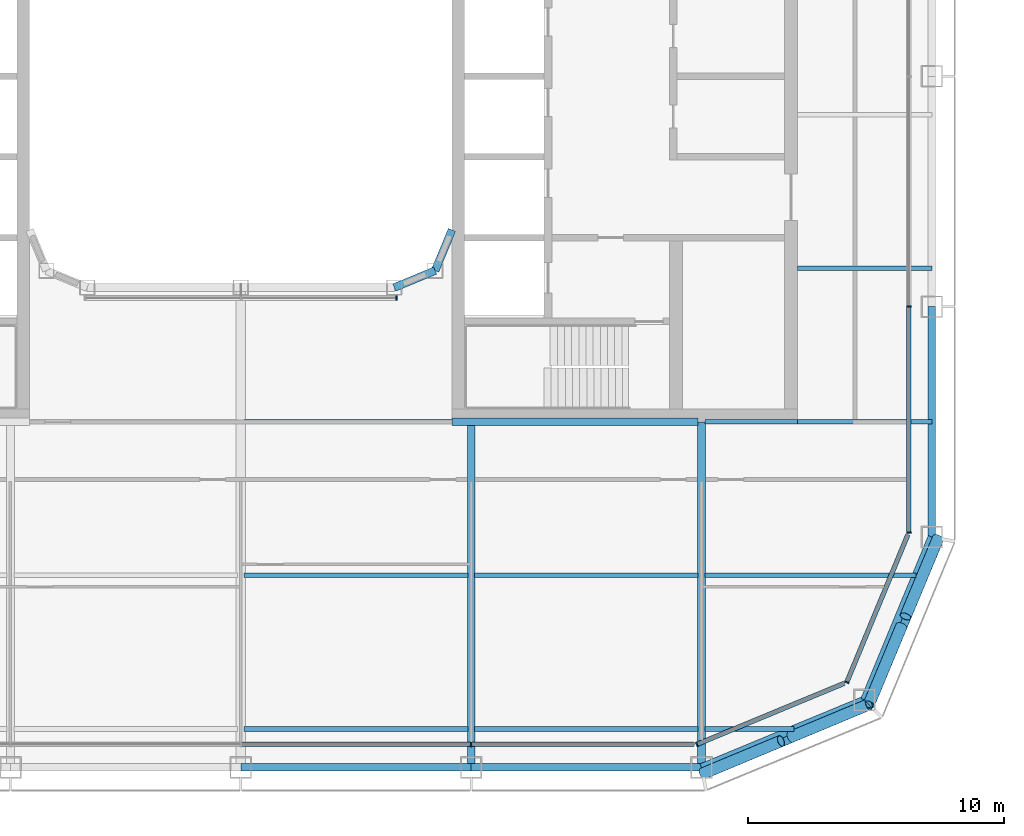
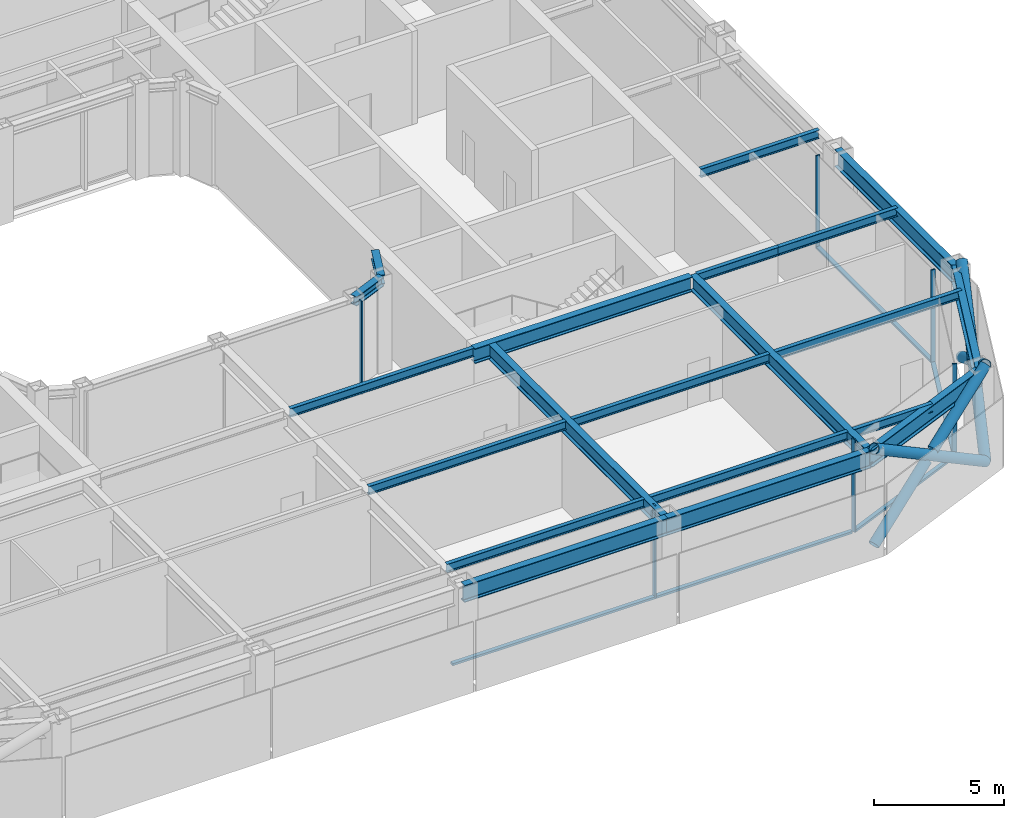
# One storey, part 4 of 23: 20 beams, 17 members, 5 elements without a shape of their own.
"""IFC4 building model written with IfcOpenShell, lengths in metres."""

from ifc_helpers import new_model, si_unit, direction, frame, origin, origin_2d, place, context, subcontext, project, spatial, rectangle, hollow_circle, i_section, extrude, material, layer, layer_set, material_profile, profile_set, type_object, element, aggregate, save


model = new_model("IFC4")

# Units and contexts
model_context = context("Model", 3, precision=1e-05, world=origin(), true_north=direction((0.0, 1.0)))
body_context = subcontext(model_context, "Body", "Model", "MODEL_VIEW")
ifc_project = project(units=[si_unit("LENGTHUNIT", "METRE"), si_unit("AREAUNIT", "SQUARE_METRE"), si_unit("VOLUMEUNIT", "CUBIC_METRE"), si_unit("PLANEANGLEUNIT", "RADIAN"), si_unit("MASSUNIT", "GRAM", prefix="KILO")], contexts=[model_context])

# Site, building, storey
site_placement = place(None, origin())
site = spatial("IfcSite", under=ifc_project, at=site_placement, CompositionType="ELEMENT")
building_placement = place(site_placement, origin())
building = spatial("IfcBuilding", under=site, at=building_placement, Name="Siwar Civic Tower", CompositionType="ELEMENT")
storey_placement = place(building_placement, frame((0.0, 0.0, 224.199951171875)))
storey = spatial("IfcBuildingStorey", under=building, at=storey_placement, Name="L48", CompositionType="ELEMENT", Elevation=224.199951171875)

# Curtain wall, member
ifc_material_1 = material(Name="Aluminium and glass", Category="aluminium")
ifc_layer_1 = layer(ifc_material_1, 0.179931640625)
ifc_layer_set_1 = layer_set([ifc_layer_1], Name="Aluminium and glass")
curtain_wall_type_1 = type_object("IfcCurtainWallType", Name="ENV-CW-C", PredefinedType="NOTDEFINED", material=ifc_layer_set_1)
curtain_wall_1_placement = place(storey_placement, origin())
curtain_wall_1 = element("IfcCurtainWall", 1, at=curtain_wall_1_placement, inside=storey, type_object=curtain_wall_type_1, Name="Curtain wall C S", PredefinedType="NOTDEFINED")
ifc_material_2 = material(Name="Aluminium 6063-T6", Category="aluminium")
ifc_material_profile_1 = material_profile(ifc_material_2, rectangle(XDim=0.179931640625, YDim=0.06005859375, at=origin_2d()), Name="AL 180x60")
ifc_profile_set_1 = profile_set([ifc_material_profile_1], Name="Aluminium 6063-T6")
member_type_1 = type_object("IfcMemberType", Name="ENV-MULLION-C", PredefinedType="MULLION", material=ifc_profile_set_1)
member_1_placement = place(storey_placement, frame((9.0, -26.10009765625, 0.0), z_axis=(0.0, 0.0, 1.0), x_axis=(0.0, 1.0, 0.0)))
member_1 = element("IfcMember", 2, at=member_1_placement, type_object=member_type_1, Name="Mullion C S 4", PredefinedType="MULLION", context=body_context, shape_type="SweptSolid", body=[
    extrude(rectangle(XDim=0.179931640625, YDim=0.06005859375, at=origin_2d()), origin(), (0.0, 0.0, 1.0), 4.35009765625),
])

ifc_material_3 = material(Name="Aluminium clad insulated panel", Category="aluminium")
ifc_layer_2 = layer(ifc_material_3, 0.179931640625)
ifc_layer_set_2 = layer_set([ifc_layer_2], Name="Aluminium clad insulated panel")
curtain_wall_type_2 = type_object("IfcCurtainWallType", Name="ENV-CW-CX", PredefinedType="NOTDEFINED", material=ifc_layer_set_2)
curtain_wall_2_placement = place(storey_placement, origin())
curtain_wall_2 = element("IfcCurtainWall", 3, at=curtain_wall_2_placement, inside=storey, type_object=curtain_wall_type_2, Name="Curtain wall C SE1", PredefinedType="NOTDEFINED")
member_2_placement = place(storey_placement, frame((17.821044921875, -26.10009765625, 0.0), z_axis=(0.0, 0.0, 1.0), x_axis=(-0.382683432365, 0.923879532511, 0.0)))
member_2 = element("IfcMember", 4, at=member_2_placement, type_object=member_type_1, Name="Mullion C SE1 1", PredefinedType="MULLION", context=body_context, shape_type="SweptSolid", body=[
    extrude(rectangle(XDim=0.179931640625, YDim=0.06005859375, at=origin_2d()), origin(), (0.0, 0.0, 1.0), 4.35009765625),
])

curtain_wall_3_placement = place(storey_placement, origin())
curtain_wall_3 = element("IfcCurtainWall", 5, at=curtain_wall_3_placement, inside=storey, type_object=curtain_wall_type_2, Name="Curtain wall C SE2", PredefinedType="NOTDEFINED")
member_3_placement = place(storey_placement, frame((23.675048828125, -23.675048828125, 0.0), z_axis=(0.0, 0.0, 1.0), x_axis=(-0.923879532511, 0.382683432365, 0.0)))
member_3 = element("IfcMember", 6, at=member_3_placement, type_object=member_type_1, Name="Mullion C SE2 1", PredefinedType="MULLION", context=body_context, shape_type="SweptSolid", body=[
    extrude(rectangle(XDim=0.179931640625, YDim=0.06005859375, at=origin_2d()), origin(), (0.0, 0.0, 1.0), 4.35009765625),
])

# Curtain wall, members
curtain_wall_4_placement = place(storey_placement, origin())
curtain_wall_4 = element("IfcCurtainWall", 7, at=curtain_wall_4_placement, inside=storey, type_object=curtain_wall_type_1, Name="Curtain wall C E", PredefinedType="NOTDEFINED")
member_4_placement = place(storey_placement, frame((26.10009765625, -17.821044921875, 0.0), z_axis=(0.0, 0.0, 1.0), x_axis=(-1.0, 0.0, 0.0)))
member_4 = element("IfcMember", 8, at=member_4_placement, type_object=member_type_1, Name="Mullion C E 1", PredefinedType="MULLION", context=body_context, shape_type="SweptSolid", body=[
    extrude(rectangle(XDim=0.179931640625, YDim=0.06005859375, at=origin_2d()), origin(), (0.0, 0.0, 1.0), 4.35009765625),
])
member_5_placement = place(storey_placement, frame((26.10009765625, -9.0, 0.0), z_axis=(0.0, 0.0, 1.0), x_axis=(-1.0, 0.0, 0.0)))
member_5 = element("IfcMember", 9, at=member_5_placement, type_object=member_type_1, Name="Mullion C E 2", PredefinedType="MULLION", context=body_context, shape_type="SweptSolid", body=[
    extrude(rectangle(XDim=0.179931640625, YDim=0.06005859375, at=origin_2d()), origin(), (0.0, 0.0, 1.0), 4.35009765625),
])

# Curtain wall, member
ifc_material_4 = material(Name="Aluminium and glass", Category="aluminium")
ifc_layer_3 = layer(ifc_material_4, 0.179931640625)
ifc_layer_set_3 = layer_set([ifc_layer_3], Name="Aluminium and glass")
curtain_wall_type_3 = type_object("IfcCurtainWallType", Name="ENV-CW-W", PredefinedType="NOTDEFINED", material=ifc_layer_set_3)
curtain_wall_5_placement = place(storey_placement, origin())
curtain_wall_5 = element("IfcCurtainWall", 10, at=curtain_wall_5_placement, inside=storey, type_object=curtain_wall_type_3, Name="Curtain wall W WS", PredefinedType="NOTDEFINED")
ifc_material_5 = material(Name="Aluminium 6063-T6", Category="aluminium")
ifc_material_profile_2 = material_profile(ifc_material_5, rectangle(XDim=0.179931640625, YDim=0.06005859375, at=origin_2d()), Name="AL 180x60")
ifc_profile_set_2 = profile_set([ifc_material_profile_2], Name="Aluminium 6063-T6")
member_type_2 = type_object("IfcMemberType", Name="ENV-MULLION-W", PredefinedType="MULLION", material=ifc_profile_set_2)
member_6_placement = place(storey_placement, frame((6.08154296875, -8.659912109375, 0.0), z_axis=(0.0, 0.0, 1.0), x_axis=(0.0, 1.0, 0.0)))
member_6 = element("IfcMember", 11, at=member_6_placement, type_object=member_type_2, Name="Mullion W WS 3", PredefinedType="MULLION", context=body_context, shape_type="SweptSolid", body=[
    extrude(rectangle(XDim=0.179931640625, YDim=0.06005859375, at=origin_2d()), origin(), (0.0, 0.0, 1.0), 4.35009765625),
])
aggregate(curtain_wall_5, [member_6])

# Member
ifc_material_6 = material(Name="Aluminium 6063-T6", Category="aluminium")
ifc_material_profile_3 = material_profile(ifc_material_6, rectangle(XDim=0.179931640625, YDim=0.10009765625, at=origin_2d()), Name="AL 180x100")
ifc_profile_set_3 = profile_set([ifc_material_profile_3], Name="Aluminium 6063-T6")
member_type_3 = type_object("IfcMemberType", Name="ENV-TRANSOM-C", PredefinedType="USERDEFINED", material=ifc_profile_set_3)
member_7_placement = place(storey_placement, frame((0.030029296875, -26.10009765625, 0.050048828125), z_axis=(1.0, 0.0, 0.0), x_axis=(0.0, 1.0, 0.0)))
member_7 = element("IfcMember", 12, at=member_7_placement, type_object=member_type_3, Name="Transom C S 3", ObjectType="TRANSOM", PredefinedType="USERDEFINED", context=body_context, shape_type="SweptSolid", body=[
    extrude(rectangle(XDim=0.179931640625, YDim=0.10009765625, at=origin_2d()), origin(), (0.0, 0.0, 1.0), 8.93994140625),
])

member_8_placement = place(storey_placement, frame((9.030029296875, -26.10009765625, 0.050048828125), z_axis=(1.0, 0.0, 0.0), x_axis=(0.0, 1.0, 0.0)))
member_8 = element("IfcMember", 13, at=member_8_placement, type_object=member_type_3, Name="Transom C S 4", ObjectType="TRANSOM", PredefinedType="USERDEFINED", context=body_context, shape_type="SweptSolid", body=[
    extrude(rectangle(XDim=0.179931640625, YDim=0.10009765625, at=origin_2d()), origin(), (0.0, 0.0, 1.0), 8.68603515625),
])

aggregate(curtain_wall_1, [member_1, member_7, member_8])

member_9_placement = place(storey_placement, frame((17.8486328125, -26.088623046875, 0.050048828125), z_axis=(0.923882011223, 0.38267744817, 0.0), x_axis=(-0.38267744817, 0.923882011223, 0.0)))
member_9 = element("IfcMember", 14, at=member_9_placement, type_object=member_type_3, Name="Transom C SE1 1", ObjectType="TRANSOM", PredefinedType="USERDEFINED", context=body_context, shape_type="SweptSolid", body=[
    extrude(rectangle(XDim=0.179931640625, YDim=0.10009765625, at=origin_2d()), origin(), (0.0, 0.0, 1.0), 6.201904296875),
])

aggregate(curtain_wall_2, [member_2, member_9])

member_10_placement = place(storey_placement, frame((23.6865234375, -23.6474609375, 0.050048828125), z_axis=(0.382691366456, 0.923876246063, 0.0), x_axis=(-0.923876246063, 0.382691366456, 0.0)))
member_10 = element("IfcMember", 15, at=member_10_placement, type_object=member_type_3, Name="Transom C SE2 1", ObjectType="TRANSOM", PredefinedType="USERDEFINED", context=body_context, shape_type="SweptSolid", body=[
    extrude(rectangle(XDim=0.179931640625, YDim=0.10009765625, at=origin_2d()), origin(), (0.0, 0.0, 1.0), 6.20166015625),
])

aggregate(curtain_wall_3, [member_3, member_10])

member_11_placement = place(storey_placement, frame((26.10009765625, -17.791015625, 0.050048828125), z_axis=(0.0, 1.0, 0.0), x_axis=(-1.0, 0.0, 0.0)))
member_11 = element("IfcMember", 16, at=member_11_placement, type_object=member_type_3, Name="Transom C E 1", ObjectType="TRANSOM", PredefinedType="USERDEFINED", context=body_context, shape_type="SweptSolid", body=[
    extrude(rectangle(XDim=0.179931640625, YDim=0.10009765625, at=origin_2d()), origin(), (0.0, 0.0, 1.0), 8.760986328125),
])

aggregate(curtain_wall_4, [member_4, member_5, member_11])

# Members
ifc_material_7 = material(Name="Steel S355", Category="steel")
ifc_material_profile_4 = material_profile(ifc_material_7, hollow_circle(Radius=0.228515625, WallThickness=0.02001953125, at=origin_2d()), Name="CHS457x20")
ifc_profile_set_4 = profile_set([ifc_material_profile_4], Name="Steel S355")
member_type_4 = type_object("IfcMemberType", Name="STR-BR-CHS457x20", PredefinedType="BRACE", material=ifc_profile_set_4)
member_12_placement = place(storey_placement, frame((24.540771484375, -24.540771484375, 0.0), z_axis=(0.323905527954, 0.777554562952, 0.538975055633), x_axis=(-0.923108759191, 0.384538969033, 0.0)))
element("IfcMember", 17, at=member_12_placement, inside=storey, type_object=member_type_4, Name="L48/brc/CSE1-8-0-1", PredefinedType="BRACE", context=body_context, shape_type="SweptSolid", body=[
    extrude(hollow_circle(Radius=0.228515625, WallThickness=0.02001953125, at=origin_2d()), origin(), (0.0, 0.0, 1.0), 8.34912109375),
])
for number, where, z_axis, x_axis, name in (
    (18, (27.2451171875, -18.048828125, 0.0), (-0.323884455881, -0.777546448489, 0.538999424564), (0.92311621485, -0.38452107079, 0.0), "L48/brc/CSE1-8-0-2"),
    (19, (25.81298828125, -21.486572265625, 2.383056640625), (-0.323895306243, -0.777572496853, 0.538955325357), (0.92311621485, -0.38452107079, 0.0), "L48/brc/CSE1-8-0-3"),
):
    element("IfcMember", number, at=place(storey_placement, frame(where, z_axis=z_axis, x_axis=x_axis)), inside=storey, type_object=member_type_4, Name=name, PredefinedType="BRACE", context=body_context, shape_type="SweptSolid", body=[
        extrude(hollow_circle(Radius=0.228515625, WallThickness=0.02001953125, at=origin_2d()), origin(), (0.0, 0.0, 1.0), 3.927978515625),
    ])
member_13_placement = place(storey_placement, frame((24.540771484375, -24.540771484375, 0.0), z_axis=(-0.777554562952, -0.323905527954, 0.538975055633), x_axis=(0.384538969033, -0.923108759191, 0.0)))
element("IfcMember", 20, at=member_13_placement, inside=storey, type_object=member_type_4, Name="L48/brc/CSE1-8-0-0", PredefinedType="BRACE", context=body_context, shape_type="SweptSolid", body=[
    extrude(hollow_circle(Radius=0.228515625, WallThickness=0.02001953125, at=origin_2d()), origin(), (0.0, 0.0, 1.0), 8.34912109375),
])
for number, where, z_axis, x_axis, name in (
    (21, (18.048828125, -27.2451171875, 0.0), (0.777546448489, 0.323884455881, 0.538999424564), (-0.38452107079, 0.92311621485, 0.0), "L48/brc/CSE1-8-0-4"),
    (22, (21.486572265625, -25.81298828125, 2.383056640625), (0.777572496853, 0.323895306243, 0.538955325357), (-0.38452107079, 0.92311621485, 0.0), "L48/brc/CSE1-8-0-5"),
):
    element("IfcMember", number, at=place(storey_placement, frame(where, z_axis=z_axis, x_axis=x_axis)), inside=storey, type_object=member_type_4, Name=name, PredefinedType="BRACE", context=body_context, shape_type="SweptSolid", body=[
        extrude(hollow_circle(Radius=0.228515625, WallThickness=0.02001953125, at=origin_2d()), origin(), (0.0, 0.0, 1.0), 3.927978515625),
    ])

# Beams
ifc_material_8 = material(Name="Steel S355", Category="steel")
ifc_material_profile_5 = material_profile(ifc_material_8, i_section(OverallWidth=0.179931640625, OverallDepth=0.39990234375, WebThickness=0.008544921875, FlangeThickness=0.013427734375, FilletRadius=0.02099609375, at=origin_2d()), Name="IPE400")
ifc_profile_set_5 = profile_set([ifc_material_profile_5], Name="Steel S355")
beam_type_1 = type_object("IfcBeamType", Name="STR-FB-IPE400", PredefinedType="JOIST", material=ifc_profile_set_5)
for number, where, z_axis, x_axis, name in (
    (23, (0.1298828125, -25.5, 4.150146484375), (1.0, 0.0, 0.0), (0.0, 1.0, 0.0), "L48/bm/F004"),
    (24, (9.1298828125, -25.5, 4.150146484375), (1.0, 0.0, 0.0), (0.0, 1.0, 0.0), "L48/bm/F005"),
):
    element("IfcBeam", number, at=place(storey_placement, frame(where, z_axis=z_axis, x_axis=x_axis)), inside=storey, type_object=beam_type_1, Name=name, PredefinedType="JOIST", context=body_context, shape_type="SweptSolid", body=[
        extrude(i_section(OverallWidth=0.179931640625, OverallDepth=0.39990234375, WebThickness=0.008544921875, FlangeThickness=0.013427734375, FilletRadius=0.02099609375, at=origin_2d()), origin(), (0.0, 0.0, 1.0), 8.740234375),
    ])
beam_1_placement = place(storey_placement, frame((18.1298828125, -25.5, 4.150146484375), z_axis=(1.0, 0.0, 0.0), x_axis=(0.0, 1.0, 0.0)))
element("IfcBeam", 25, at=beam_1_placement, inside=storey, type_object=beam_type_1, Name="L48/bm/F006", PredefinedType="JOIST", context=body_context, shape_type="SweptSolid", body=[
    extrude(i_section(OverallWidth=0.179931640625, OverallDepth=0.39990234375, WebThickness=0.008544921875, FlangeThickness=0.013427734375, FilletRadius=0.02099609375, at=origin_2d()), origin(), (0.0, 0.0, 1.0), 3.491455078125),
])
for number, where, z_axis, x_axis, name in (
    (26, (0.1298828125, -19.5, 4.150146484375), (1.0, 0.0, 0.0), (0.0, 1.0, 0.0), "L48/bm/F010"),
    (27, (9.1298828125, -19.5, 4.150146484375), (1.0, 0.0, 0.0), (0.0, 1.0, 0.0), "L48/bm/F011"),
):
    element("IfcBeam", number, at=place(storey_placement, frame(where, z_axis=z_axis, x_axis=x_axis)), inside=storey, type_object=beam_type_1, Name=name, PredefinedType="JOIST", context=body_context, shape_type="SweptSolid", body=[
        extrude(i_section(OverallWidth=0.179931640625, OverallDepth=0.39990234375, WebThickness=0.008544921875, FlangeThickness=0.013427734375, FilletRadius=0.02099609375, at=origin_2d()), origin(), (0.0, 0.0, 1.0), 8.740234375),
    ])
beam_2_placement = place(storey_placement, frame((18.1298828125, -19.5, 4.150146484375), z_axis=(1.0, 0.0, 0.0), x_axis=(0.0, 1.0, 0.0)))
element("IfcBeam", 28, at=beam_2_placement, inside=storey, type_object=beam_type_1, Name="L48/bm/F012", PredefinedType="JOIST", context=body_context, shape_type="SweptSolid", body=[
    extrude(i_section(OverallWidth=0.179931640625, OverallDepth=0.39990234375, WebThickness=0.008544921875, FlangeThickness=0.013427734375, FilletRadius=0.02099609375, at=origin_2d()), origin(), (0.0, 0.0, 1.0), 8.248779296875),
])
beam_3_placement = place(storey_placement, frame((0.1298828125, -13.5, 4.150146484375), z_axis=(1.0, 0.0, 0.0), x_axis=(0.0, 1.0, 0.0)))
element("IfcBeam", 29, at=beam_3_placement, inside=storey, type_object=beam_type_1, Name="L48/bm/F017", PredefinedType="JOIST", context=body_context, shape_type="SweptSolid", body=[
    extrude(i_section(OverallWidth=0.179931640625, OverallDepth=0.39990234375, WebThickness=0.008544921875, FlangeThickness=0.013427734375, FilletRadius=0.02099609375, at=origin_2d()), origin(), (0.0, 0.0, 1.0), 8.1201171875),
])
beam_4_placement = place(storey_placement, frame((18.1298828125, -13.5, 4.150146484375), z_axis=(1.0, 0.0, 0.0), x_axis=(0.0, 1.0, 0.0)))
element("IfcBeam", 30, at=beam_4_placement, inside=storey, type_object=beam_type_1, Name="L48/bm/F019", PredefinedType="JOIST", context=body_context, shape_type="SweptSolid", body=[
    extrude(i_section(OverallWidth=0.179931640625, OverallDepth=0.39990234375, WebThickness=0.008544921875, FlangeThickness=0.013427734375, FilletRadius=0.02099609375, at=origin_2d()), origin(), (0.0, 0.0, 1.0), 3.6201171875),
])
for number, where, z_axis, x_axis, name in (
    (31, (21.75, -13.5, 4.150146484375), (1.0, 0.0, 0.0), (0.0, 1.0, 0.0), "L48/bm/F020"),
    (32, (21.75, -7.5, 4.150146484375), (1.0, 0.0, 0.0), (0.0, 1.0, 0.0), "L48/bm/F022"),
):
    element("IfcBeam", number, at=place(storey_placement, frame(where, z_axis=z_axis, x_axis=x_axis)), inside=storey, type_object=beam_type_1, Name=name, PredefinedType="JOIST", context=body_context, shape_type="SweptSolid", body=[
        extrude(i_section(OverallWidth=0.179931640625, OverallDepth=0.39990234375, WebThickness=0.008544921875, FlangeThickness=0.013427734375, FilletRadius=0.02099609375, at=origin_2d()), origin(), (0.0, 0.0, 1.0), 5.25),
    ])
ifc_material_9 = material(Name="Steel S355", Category="steel")
ifc_material_profile_6 = material_profile(ifc_material_9, i_section(OverallWidth=0.300048828125, OverallDepth=0.699951171875, WebThickness=0.01708984375, FlangeThickness=0.031982421875, FilletRadius=0.027099609375, at=origin_2d()), Name="HEB700")
ifc_profile_set_6 = profile_set([ifc_material_profile_6], Name="Steel S355")
beam_type_2 = type_object("IfcBeamType", Name="STR-PG-HEB700", PredefinedType="BEAM", material=ifc_profile_set_6)
for number, where, z_axis, x_axis, name in (
    (33, (9.0, -27.0, 4.0), (0.0, 1.0, 0.0), (-1.0, 0.0, 0.0), "L48/bm/G07"),
    (34, (18.0, -27.0, 4.0), (0.0, 1.0, 0.0), (-1.0, 0.0, 0.0), "L48/bm/G09"),
):
    element("IfcBeam", number, at=place(storey_placement, frame(where, z_axis=z_axis, x_axis=x_axis)), inside=storey, type_object=beam_type_2, Name=name, PredefinedType="BEAM", context=body_context, shape_type="SweptSolid", body=[
        extrude(i_section(OverallWidth=0.300048828125, OverallDepth=0.699951171875, WebThickness=0.01708984375, FlangeThickness=0.031982421875, FilletRadius=0.027099609375, at=origin_2d()), origin(), (0.0, 0.0, 1.0), 13.5),
    ])
beam_5_placement = place(storey_placement, frame((8.25, -13.5, 4.0), z_axis=(1.0, 0.0, 0.0), x_axis=(0.0, 1.0, 0.0)))
element("IfcBeam", 35, at=beam_5_placement, inside=storey, type_object=beam_type_2, Name="L48/bm/F018", PredefinedType="BEAM", context=body_context, shape_type="SweptSolid", body=[
    extrude(i_section(OverallWidth=0.300048828125, OverallDepth=0.699951171875, WebThickness=0.01708984375, FlangeThickness=0.031982421875, FilletRadius=0.027099609375, at=origin_2d()), origin(), (0.0, 0.0, 1.0), 9.6201171875),
])
ifc_material_10 = material(Name="Steel S355", Category="steel")
ifc_material_profile_7 = material_profile(ifc_material_10, i_section(OverallWidth=0.306884765625, OverallDepth=0.431884765625, WebThickness=0.02099609375, FlangeThickness=0.0400390625, FilletRadius=0.027099609375, at=origin_2d()), Name="HEM400")
ifc_profile_set_7 = profile_set([ifc_material_profile_7], Name="Steel S355")
beam_type_3 = type_object("IfcBeamType", Name="STR-RB-HEM400", PredefinedType="BEAM", material=ifc_profile_set_7)
for number, where, z_axis, x_axis, name in (
    (36, (6.0, -8.25, 4.134033203125), (0.923901072997, 0.382631424892, 0.0), (-0.382631424892, 0.923901072997, 0.0), "L48/bm/RS3"),
    (37, (7.591064453125, -7.591064453125, 4.134033203125), (0.382631424892, 0.923901072997, 0.0), (-0.923901072997, 0.382631424892, 0.0), "L48/bm/RSEE"),
):
    element("IfcBeam", number, at=place(storey_placement, frame(where, z_axis=z_axis, x_axis=x_axis)), inside=storey, type_object=beam_type_3, Name=name, PredefinedType="BEAM", context=body_context, shape_type="SweptSolid", body=[
        extrude(i_section(OverallWidth=0.306884765625, OverallDepth=0.431884765625, WebThickness=0.02099609375, FlangeThickness=0.0400390625, FilletRadius=0.027099609375, at=origin_2d()), origin(), (0.0, 0.0, 1.0), 1.72216796875),
    ])
ifc_material_11 = material(Name="Steel S355", Category="steel")
ifc_material_profile_8 = material_profile(ifc_material_11, i_section(OverallWidth=0.300048828125, OverallDepth=0.800048828125, WebThickness=0.017578125, FlangeThickness=0.032958984375, FilletRadius=0.030029296875, at=origin_2d()), Name="HEB800")
ifc_profile_set_8 = profile_set([ifc_material_profile_8], Name="Steel S355")
beam_type_4 = type_object("IfcBeamType", Name="STR-SB-HEB800", PredefinedType="BEAM", material=ifc_profile_set_8)
for number, where, z_axis, x_axis, name in (
    (38, (0.0, -27.0, 3.949951171875), (1.0, 0.0, 0.0), (0.0, 1.0, 0.0), "L48/bm/SS-2"),
    (39, (9.0, -27.0, 3.949951171875), (1.0, 0.0, 0.0), (0.0, 1.0, 0.0), "L48/bm/SS-3"),
):
    element("IfcBeam", number, at=place(storey_placement, frame(where, z_axis=z_axis, x_axis=x_axis)), inside=storey, type_object=beam_type_4, Name=name, PredefinedType="BEAM", context=body_context, shape_type="SweptSolid", body=[
        extrude(i_section(OverallWidth=0.300048828125, OverallDepth=0.800048828125, WebThickness=0.017578125, FlangeThickness=0.032958984375, FilletRadius=0.030029296875, at=origin_2d()), origin(), (0.0, 0.0, 1.0), 9.0),
    ])
for number, where, z_axis, x_axis, name in (
    (40, (18.0, -27.0, 3.949951171875), (0.923883353507, 0.382674207535, 0.0), (-0.382674207535, 0.923883353507, 0.0), "L48/bm/SSE1-0"),
    (41, (24.364013671875, -24.364013671875, 3.949951171875), (0.382674207535, 0.923883353507, 0.0), (-0.923883353507, 0.382674207535, 0.0), "L48/bm/SSE2-0"),
):
    element("IfcBeam", number, at=place(storey_placement, frame(where, z_axis=z_axis, x_axis=x_axis)), inside=storey, type_object=beam_type_4, Name=name, PredefinedType="BEAM", context=body_context, shape_type="SweptSolid", body=[
        extrude(i_section(OverallWidth=0.300048828125, OverallDepth=0.800048828125, WebThickness=0.017578125, FlangeThickness=0.032958984375, FilletRadius=0.030029296875, at=origin_2d()), origin(), (0.0, 0.0, 1.0), 6.888427734375),
    ])
beam_6_placement = place(storey_placement, frame((27.0, -18.0, 3.949951171875), z_axis=(0.0, 1.0, 0.0), x_axis=(-1.0, 0.0, 0.0)))
element("IfcBeam", 42, at=beam_6_placement, inside=storey, type_object=beam_type_4, Name="L48/bm/SE-0", PredefinedType="BEAM", context=body_context, shape_type="SweptSolid", body=[
    extrude(i_section(OverallWidth=0.300048828125, OverallDepth=0.800048828125, WebThickness=0.017578125, FlangeThickness=0.032958984375, FilletRadius=0.030029296875, at=origin_2d()), origin(), (0.0, 0.0, 1.0), 9.0),
])

save(model, "model.ifc")
